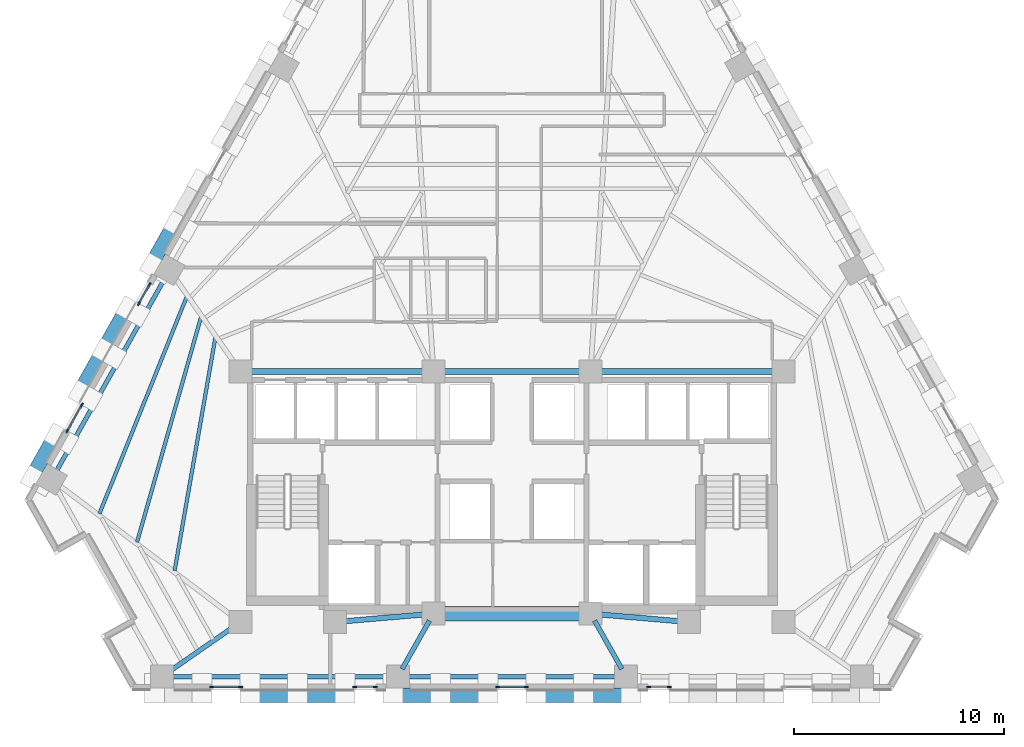
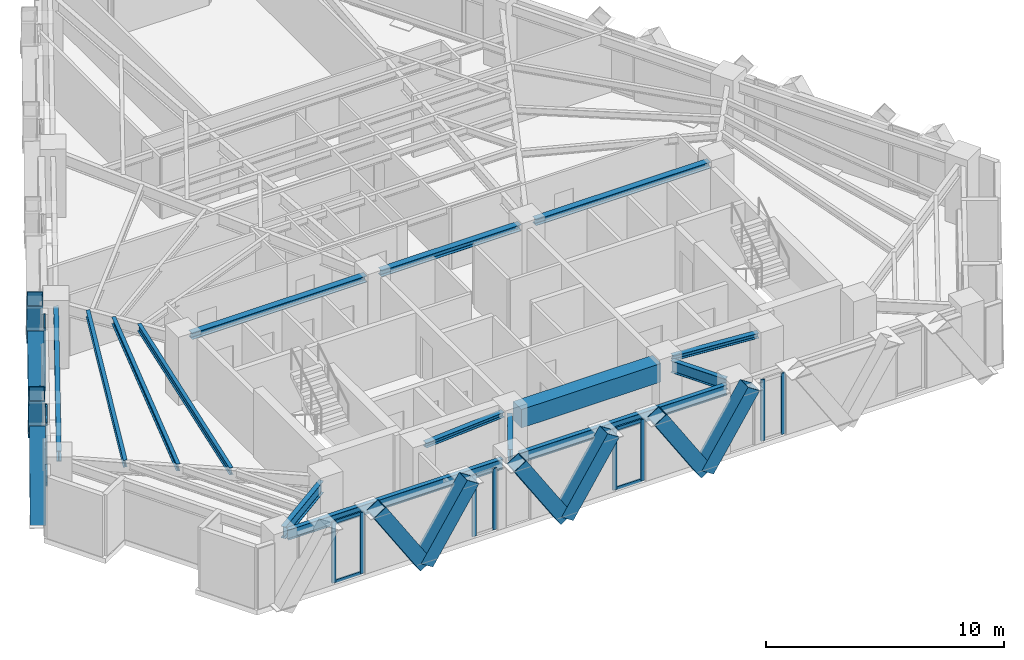
# One storey, part 2 of 13: 30 members, 15 beams, 6 elements without a shape of their own.
"""IFC4 building model written with IfcOpenShell, lengths in metres."""

from ifc_helpers import new_model, si_unit, direction, frame, origin, origin_2d, place, context, subcontext, project, spatial, rectangle, hollow_rectangle, i_section, extrude, material, material_profile, profile_set, type_object, element, aggregate, save


model = new_model("IFC4")

# Units and contexts
model_context = context("Model", 3, precision=1e-05, world=origin(), true_north=direction((0.0, 1.0)))
body_context = subcontext(model_context, "Body", "Model", "MODEL_VIEW")
ifc_project = project(units=[si_unit("LENGTHUNIT", "METRE"), si_unit("AREAUNIT", "SQUARE_METRE"), si_unit("VOLUMEUNIT", "CUBIC_METRE"), si_unit("PLANEANGLEUNIT", "RADIAN"), si_unit("MASSUNIT", "GRAM", prefix="KILO")], contexts=[model_context])

# Site, building, storey
site_placement = place(None, origin())
site = spatial("IfcSite", under=ifc_project, at=site_placement, CompositionType="ELEMENT")
building_placement = place(site_placement, origin())
building = spatial("IfcBuilding", under=site, at=building_placement, Name="Quenlor Broadcast Tower", CompositionType="ELEMENT")
storey_placement = place(building_placement, frame((0.0, 0.0, 87.10009765625)))
storey = spatial("IfcBuildingStorey", under=building, at=storey_placement, Name="L23", CompositionType="ELEMENT", Elevation=87.10009765625)

# Curtain wall, members
ifc_material_1 = material(Name="Architectural Terracotta and Low-E Glazing", Category="masonry")
curtain_wall_type = type_object("IfcCurtainWallType", Name="Unitised Terracotta Curtain Wall System Z2", PredefinedType="NOTDEFINED", material=ifc_material_1)
curtain_wall_1_placement = place(storey_placement, origin())
curtain_wall_1 = element("IfcCurtainWall", 1, at=curtain_wall_1_placement, inside=storey, type_object=curtain_wall_type, Name="L23 Curtain Wall CW2 (L23-SA-G2)", PredefinedType="NOTDEFINED")
ifc_material_2 = material(Name="Aluminium 6063-T6", Category="aluminium")
ifc_material_profile_1 = material_profile(ifc_material_2, rectangle(XDim=0.074951171875, YDim=0.199951171875, at=origin_2d()))
ifc_profile_set_1 = profile_set([ifc_material_profile_1], Name="Aluminium 6063-T6 MULL75x200")
member_type_1 = type_object("IfcMemberType", Name="CW2 Aluminium Mullion MULL_CW2", PredefinedType="MULLION", material=ifc_profile_set_1)
member_1_placement = place(storey_placement, frame((7.501708984375, -19.840087890625, 0.0), z_axis=(0.0, 0.0, 1.0), x_axis=(0.0, -1.0, 0.0)))
member_1 = element("IfcMember", 2, at=member_1_placement, type_object=member_type_1, Name="CW2 mullion 1", PredefinedType="MULLION", context=body_context, shape_type="SweptSolid", body=[
    extrude(rectangle(XDim=0.074951171875, YDim=0.199951171875, at=origin_2d()), origin(), (0.0, 0.0, 1.0), 3.139892578125),
])
member_2_placement = place(storey_placement, frame((6.515625, -19.840087890625, 0.0), z_axis=(0.0, 0.0, 1.0), x_axis=(0.0, -1.0, 0.0)))
member_2 = element("IfcMember", 3, at=member_2_placement, type_object=member_type_1, Name="CW2 mullion 2", PredefinedType="MULLION", context=body_context, shape_type="SweptSolid", body=[
    extrude(rectangle(XDim=0.074951171875, YDim=0.199951171875, at=origin_2d()), origin(), (0.0, 0.0, 1.0), 3.139892578125),
])
aggregate(curtain_wall_1, [member_1, member_2])

curtain_wall_2_placement = place(storey_placement, origin())
curtain_wall_2 = element("IfcCurtainWall", 4, at=curtain_wall_2_placement, inside=storey, type_object=curtain_wall_type, Name="L23 Curtain Wall CW2 (L23-SC-G1)", PredefinedType="NOTDEFINED")
member_3_placement = place(storey_placement, frame((-6.515625, -19.840087890625, 0.0), z_axis=(0.0, 0.0, 1.0), x_axis=(0.0, -1.0, 0.0)))
member_3 = element("IfcMember", 5, at=member_3_placement, type_object=member_type_1, Name="CW2 mullion 1", PredefinedType="MULLION", context=body_context, shape_type="SweptSolid", body=[
    extrude(rectangle(XDim=0.074951171875, YDim=0.199951171875, at=origin_2d()), origin(), (0.0, 0.0, 1.0), 3.139892578125),
])
member_4_placement = place(storey_placement, frame((-7.501708984375, -19.840087890625, 0.0), z_axis=(0.0, 0.0, 1.0), x_axis=(0.0, -1.0, 0.0)))
member_4 = element("IfcMember", 6, at=member_4_placement, type_object=member_type_1, Name="CW2 mullion 2", PredefinedType="MULLION", context=body_context, shape_type="SweptSolid", body=[
    extrude(rectangle(XDim=0.074951171875, YDim=0.199951171875, at=origin_2d()), origin(), (0.0, 0.0, 1.0), 3.139892578125),
])
aggregate(curtain_wall_2, [member_3, member_4])

curtain_wall_3_placement = place(storey_placement, origin())
curtain_wall_3 = element("IfcCurtainWall", 7, at=curtain_wall_3_placement, inside=storey, type_object=curtain_wall_type, Name="L23 Curtain Wall CW2 (L23-SC-G2)", PredefinedType="NOTDEFINED")
member_5_placement = place(storey_placement, frame((-12.950927734375, -19.840087890625, 0.0), z_axis=(0.0, 0.0, 1.0), x_axis=(0.0, -1.0, 0.0)))
member_5 = element("IfcMember", 8, at=member_5_placement, type_object=member_type_1, Name="CW2 mullion 1", PredefinedType="MULLION", context=body_context, shape_type="SweptSolid", body=[
    extrude(rectangle(XDim=0.074951171875, YDim=0.199951171875, at=origin_2d()), origin(), (0.0, 0.0, 1.0), 3.139892578125),
])
member_6_placement = place(storey_placement, frame((-14.3193359375, -19.840087890625, 0.0), z_axis=(0.0, 0.0, 1.0), x_axis=(0.0, -1.0, 0.0)))
member_6 = element("IfcMember", 9, at=member_6_placement, type_object=member_type_1, Name="CW2 mullion 2", PredefinedType="MULLION", context=body_context, shape_type="SweptSolid", body=[
    extrude(rectangle(XDim=0.074951171875, YDim=0.199951171875, at=origin_2d()), origin(), (0.0, 0.0, 1.0), 3.139892578125),
])

curtain_wall_4_placement = place(storey_placement, origin())
curtain_wall_4 = element("IfcCurtainWall", 10, at=curtain_wall_4_placement, inside=storey, type_object=curtain_wall_type, Name="L23 Curtain Wall CW2 (L23-S-G1)", PredefinedType="NOTDEFINED")
member_7_placement = place(storey_placement, frame((0.68408203125, -19.840087890625, 0.0), z_axis=(0.0, 0.0, 1.0), x_axis=(0.0, -1.0, 0.0)))
member_7 = element("IfcMember", 11, at=member_7_placement, type_object=member_type_1, Name="CW2 mullion 1", PredefinedType="MULLION", context=body_context, shape_type="SweptSolid", body=[
    extrude(rectangle(XDim=0.074951171875, YDim=0.199951171875, at=origin_2d()), origin(), (0.0, 0.0, 1.0), 3.139892578125),
])
member_8_placement = place(storey_placement, frame((-0.68408203125, -19.840087890625, 0.0), z_axis=(0.0, 0.0, 1.0), x_axis=(0.0, -1.0, 0.0)))
member_8 = element("IfcMember", 12, at=member_8_placement, type_object=member_type_1, Name="CW2 mullion 2", PredefinedType="MULLION", context=body_context, shape_type="SweptSolid", body=[
    extrude(rectangle(XDim=0.074951171875, YDim=0.199951171875, at=origin_2d()), origin(), (0.0, 0.0, 1.0), 3.139892578125),
])

curtain_wall_5_placement = place(storey_placement, origin())
curtain_wall_5 = element("IfcCurtainWall", 13, at=curtain_wall_5_placement, inside=storey, type_object=curtain_wall_type, Name="L23 Curtain Wall CW2 (L23-NWA-G1)", PredefinedType="NOTDEFINED")
member_9_placement = place(storey_placement, frame((-21.208740234375, -7.631103515625, 0.0), z_axis=(0.0, 0.0, 1.0), x_axis=(-0.871586281699, 0.490242137678, 0.0)))
member_9 = element("IfcMember", 14, at=member_9_placement, type_object=member_type_1, Name="CW2 mullion 1", PredefinedType="MULLION", context=body_context, shape_type="SweptSolid", body=[
    extrude(rectangle(XDim=0.074951171875, YDim=0.199951171875, at=origin_2d()), origin(), (0.0, 0.0, 1.0), 3.139892578125),
])
member_10_placement = place(storey_placement, frame((-20.514404296875, -6.396484375, 0.0), z_axis=(0.0, 0.0, 1.0), x_axis=(-0.871586281699, 0.490242137678, 0.0)))
member_10 = element("IfcMember", 15, at=member_10_placement, type_object=member_type_1, Name="CW2 mullion 2", PredefinedType="MULLION", context=body_context, shape_type="SweptSolid", body=[
    extrude(rectangle(XDim=0.074951171875, YDim=0.199951171875, at=origin_2d()), origin(), (0.0, 0.0, 1.0), 3.139892578125),
])

curtain_wall_6_placement = place(storey_placement, origin())
curtain_wall_6 = element("IfcCurtainWall", 16, at=curtain_wall_6_placement, inside=storey, type_object=curtain_wall_type, Name="L23 Curtain Wall CW2 (L23-NWA-G2)", PredefinedType="NOTDEFINED")
member_11_placement = place(storey_placement, frame((-17.795654296875, -1.563232421875, 0.0), z_axis=(0.0, 0.0, 1.0), x_axis=(-0.8715826837, 0.490248534392, 0.0)))
member_11 = element("IfcMember", 17, at=member_11_placement, type_object=member_type_1, Name="CW2 mullion 1", PredefinedType="MULLION", context=body_context, shape_type="SweptSolid", body=[
    extrude(rectangle(XDim=0.074951171875, YDim=0.199951171875, at=origin_2d()), origin(), (0.0, 0.0, 1.0), 3.139892578125),
])
member_12_placement = place(storey_placement, frame((-17.282958984375, -0.651611328125, 0.0), z_axis=(0.0, 0.0, 1.0), x_axis=(-0.8715826837, 0.490248534392, 0.0)))
member_12 = element("IfcMember", 18, at=member_12_placement, type_object=member_type_1, Name="CW2 mullion 2", PredefinedType="MULLION", context=body_context, shape_type="SweptSolid", body=[
    extrude(rectangle(XDim=0.074951171875, YDim=0.199951171875, at=origin_2d()), origin(), (0.0, 0.0, 1.0), 3.139892578125),
])

# Member
ifc_material_3 = material(Name="Aluminium 6063-T6", Category="aluminium")
ifc_material_profile_2 = material_profile(ifc_material_3, rectangle(XDim=0.074951171875, YDim=0.1650390625, at=origin_2d()))
ifc_profile_set_2 = profile_set([ifc_material_profile_2], Name="Aluminium 6063-T6 TRAN75x165")
member_type_2 = type_object("IfcMemberType", Name="CW2 Aluminium Transom TRAN_CW2", PredefinedType="USERDEFINED", material=ifc_profile_set_2)
member_13_placement = place(storey_placement, frame((-12.988525390625, -19.840087890625, 0.037353515625), z_axis=(-1.0, 0.0, 0.0), x_axis=(0.0, -1.0, 0.0)))
member_13 = element("IfcMember", 19, at=member_13_placement, type_object=member_type_2, Name="CW2 transom 1.1", ObjectType="TRANSOM", PredefinedType="USERDEFINED", context=body_context, shape_type="SweptSolid", body=[
    extrude(rectangle(XDim=0.074951171875, YDim=0.1650390625, at=origin_2d()), origin(), (0.0, 0.0, 1.0), 1.29345703125),
])

member_14_placement = place(storey_placement, frame((-12.988525390625, -19.840087890625, 3.102294921875), z_axis=(-1.0, 0.0, 0.0), x_axis=(0.0, -1.0, 0.0)))
member_14 = element("IfcMember", 20, at=member_14_placement, type_object=member_type_2, Name="CW2 transom 1.2", ObjectType="TRANSOM", PredefinedType="USERDEFINED", context=body_context, shape_type="SweptSolid", body=[
    extrude(rectangle(XDim=0.074951171875, YDim=0.1650390625, at=origin_2d()), origin(), (0.0, 0.0, 1.0), 1.29345703125),
])

aggregate(curtain_wall_3, [member_5, member_6, member_13, member_14])

member_15_placement = place(storey_placement, frame((0.646728515625, -19.840087890625, 0.037353515625), z_axis=(-1.0, 0.0, 0.0), x_axis=(0.0, -1.0, 0.0)))
member_15 = element("IfcMember", 21, at=member_15_placement, type_object=member_type_2, Name="CW2 transom 1.1", ObjectType="TRANSOM", PredefinedType="USERDEFINED", context=body_context, shape_type="SweptSolid", body=[
    extrude(rectangle(XDim=0.074951171875, YDim=0.1650390625, at=origin_2d()), origin(), (0.0, 0.0, 1.0), 1.29345703125),
])

member_16_placement = place(storey_placement, frame((0.646728515625, -19.840087890625, 3.102294921875), z_axis=(-1.0, 0.0, 0.0), x_axis=(0.0, -1.0, 0.0)))
member_16 = element("IfcMember", 22, at=member_16_placement, type_object=member_type_2, Name="CW2 transom 1.2", ObjectType="TRANSOM", PredefinedType="USERDEFINED", context=body_context, shape_type="SweptSolid", body=[
    extrude(rectangle(XDim=0.074951171875, YDim=0.1650390625, at=origin_2d()), origin(), (0.0, 0.0, 1.0), 1.29345703125),
])

aggregate(curtain_wall_4, [member_7, member_8, member_15, member_16])

member_17_placement = place(storey_placement, frame((-21.1904296875, -7.598388671875, 0.037353515625), z_axis=(0.490148897968, 0.871638719781, 0.0), x_axis=(-0.871638719781, 0.490148897968, 0.0)))
member_17 = element("IfcMember", 23, at=member_17_placement, type_object=member_type_2, Name="CW2 transom 1.1", ObjectType="TRANSOM", PredefinedType="USERDEFINED", context=body_context, shape_type="SweptSolid", body=[
    extrude(rectangle(XDim=0.074951171875, YDim=0.1650390625, at=origin_2d()), origin(), (0.0, 0.0, 1.0), 1.34130859375),
])

member_18_placement = place(storey_placement, frame((-21.1904296875, -7.598388671875, 3.102294921875), z_axis=(0.490148897968, 0.871638719781, 0.0), x_axis=(-0.871638719781, 0.490148897968, 0.0)))
member_18 = element("IfcMember", 24, at=member_18_placement, type_object=member_type_2, Name="CW2 transom 1.2", ObjectType="TRANSOM", PredefinedType="USERDEFINED", context=body_context, shape_type="SweptSolid", body=[
    extrude(rectangle(XDim=0.074951171875, YDim=0.1650390625, at=origin_2d()), origin(), (0.0, 0.0, 1.0), 1.34130859375),
])

aggregate(curtain_wall_5, [member_9, member_10, member_17, member_18])

member_19_placement = place(storey_placement, frame((-17.77734375, -1.530517578125, 0.037353515625), z_axis=(0.490332868435, 0.871535242049, 0.0), x_axis=(-0.871535242049, 0.490332868435, 0.0)))
member_19 = element("IfcMember", 25, at=member_19_placement, type_object=member_type_2, Name="CW2 transom 1.1", ObjectType="TRANSOM", PredefinedType="USERDEFINED", context=body_context, shape_type="SweptSolid", body=[
    extrude(rectangle(XDim=0.074951171875, YDim=0.1650390625, at=origin_2d()), origin(), (0.0, 0.0, 1.0), 0.970947265625),
])

member_20_placement = place(storey_placement, frame((-17.77734375, -1.530517578125, 3.102294921875), z_axis=(0.490332868435, 0.871535242049, 0.0), x_axis=(-0.871535242049, 0.490332868435, 0.0)))
member_20 = element("IfcMember", 26, at=member_20_placement, type_object=member_type_2, Name="CW2 transom 1.2", ObjectType="TRANSOM", PredefinedType="USERDEFINED", context=body_context, shape_type="SweptSolid", body=[
    extrude(rectangle(XDim=0.074951171875, YDim=0.1650390625, at=origin_2d()), origin(), (0.0, 0.0, 1.0), 0.970947265625),
])

aggregate(curtain_wall_6, [member_11, member_12, member_19, member_20])

# Beams
ifc_material_4 = material(Name="Concrete C50/60", Category="concrete")
ifc_material_profile_3 = material_profile(ifc_material_4, rectangle(XDim=0.699951171875, YDim=0.949951171875, at=origin_2d()))
ifc_profile_set_3 = profile_set([ifc_material_profile_3], Name="Concrete C50/60 RCB700x950")
beam_type_1 = type_object("IfcBeamType", Name="Core Coupling Beam Concrete C50/60 700x950", PredefinedType="BEAM", material=ifc_profile_set_3)
beam_1_placement = place(storey_placement, frame((-3.389892578125, -16.35009765625, 2.664794921875), z_axis=(1.0, 0.0, 0.0), x_axis=(0.0, 1.0, 0.0)))
element("IfcBeam", 27, at=beam_1_placement, inside=storey, type_object=beam_type_1, Name="L23 Core Coupling Beam 6", PredefinedType="BEAM", context=body_context, shape_type="SweptSolid", body=[
    extrude(rectangle(XDim=0.699951171875, YDim=0.949951171875, at=origin_2d()), origin(), (0.0, 0.0, 1.0), 6.77978515625),
])
ifc_material_5 = material(Name="Steel S355", Category="steel")
ifc_material_profile_4 = material_profile(ifc_material_5, i_section(OverallWidth=0.304931640625, OverallDepth=0.30810546875, WebThickness=0.010009765625, FlangeThickness=0.015380859375, FilletRadius=0.0166015625, at=origin_2d()))
ifc_profile_set_4 = profile_set([ifc_material_profile_4], Name="Steel S355 310UC96.8")
beam_type_2 = type_object("IfcBeamType", Name="Core Header Beam Steel S355 310UC96.8", PredefinedType="BEAM", material=ifc_profile_set_4)
beam_2_placement = place(storey_placement, frame((-3.389892578125, -4.800048828125, 2.98583984375), z_axis=(1.0, 0.0, 0.0), x_axis=(0.0, 1.0, 0.0)))
element("IfcBeam", 28, at=beam_2_placement, inside=storey, type_object=beam_type_2, Name="L23 Core Header Beam 2", PredefinedType="BEAM", context=body_context, shape_type="SweptSolid", body=[
    extrude(i_section(OverallWidth=0.304931640625, OverallDepth=0.30810546875, WebThickness=0.010009765625, FlangeThickness=0.015380859375, FilletRadius=0.0166015625, at=origin_2d()), origin(), (0.0, 0.0, 1.0), 6.77978515625),
])
ifc_material_6 = material(Name="Steel S355", Category="steel")
ifc_material_profile_5 = material_profile(ifc_material_6, i_section(OverallWidth=0.25390625, OverallDepth=0.25390625, WebThickness=0.008544921875, FlangeThickness=0.01416015625, FilletRadius=0.013916015625, at=origin_2d()))
ifc_profile_set_5 = profile_set([ifc_material_profile_5], Name="Steel S355 250UC72.9")
beam_type_3 = type_object("IfcBeamType", Name="Core Opening Lintel Beam Steel S355 250UC72.9", PredefinedType="LINTEL", material=ifc_profile_set_5)
for number, where, z_axis, x_axis, name in (
    (29, (-8.09130859375, -16.719482421875, 3.012939453125), (0.996399763903, 0.084779186679, 0.0), (-0.084779186679, 0.996399763903, 0.0), "L23 Core Opening Lintel Beam 4"),
    (30, (4.108642578125, -16.380615234375, 3.012939453125), (0.996399763903, -0.084779186679, 0.0), (0.084779186679, 0.996399763903, 0.0), "L23 Core Opening Lintel Beam 5"),
):
    element("IfcBeam", number, at=place(storey_placement, frame(where, z_axis=z_axis, x_axis=x_axis)), inside=storey, type_object=beam_type_3, Name=name, PredefinedType="LINTEL", context=body_context, shape_type="SweptSolid", body=[
        extrude(i_section(OverallWidth=0.25390625, OverallDepth=0.25390625, WebThickness=0.008544921875, FlangeThickness=0.01416015625, FilletRadius=0.013916015625, at=origin_2d()), origin(), (0.0, 0.0, 1.0), 3.9970703125),
    ])
ifc_material_7 = material(Name="Steel S355", Category="steel")
ifc_material_profile_6 = material_profile(ifc_material_7, i_section(OverallWidth=0.306884765625, OverallDepth=0.314697265625, WebThickness=0.011962890625, FlangeThickness=0.018798828125, FilletRadius=0.0166015625, at=origin_2d()))
ifc_profile_set_6 = profile_set([ifc_material_profile_6], Name="Steel S355 310UC118")
beam_type_4 = type_object("IfcBeamType", Name="Core Tie Beam Steel S355 310UC118", PredefinedType="BEAM", material=ifc_profile_set_6)
for number, where, z_axis, x_axis, name in (
    (31, (-12.590087890625, -4.800048828125, 2.982666015625), (1.0, 0.0, 0.0), (0.0, 1.0, 0.0), "L23 Core Tie Beam 1"),
    (32, (4.110107421875, -4.800048828125, 2.982666015625), (1.0, 0.0, 0.0), (0.0, 1.0, 0.0), "L23 Core Tie Beam 3"),
):
    element("IfcBeam", number, at=place(storey_placement, frame(where, z_axis=z_axis, x_axis=x_axis)), inside=storey, type_object=beam_type_4, Name=name, PredefinedType="BEAM", context=body_context, shape_type="SweptSolid", body=[
        extrude(i_section(OverallWidth=0.306884765625, OverallDepth=0.314697265625, WebThickness=0.011962890625, FlangeThickness=0.018798828125, FilletRadius=0.0166015625, at=origin_2d()), origin(), (0.0, 0.0, 1.0), 8.47998046875),
    ])

# Members
ifc_material_8 = material(Name="Steel S355", Category="steel")
ifc_material_profile_7 = material_profile(ifc_material_8, hollow_rectangle(XDim=0.679931640625, YDim=0.679931640625, WallThickness=0.030029296875, at=origin_2d()))
ifc_profile_set_7 = profile_set([ifc_material_profile_7], Name="Steel S355 RHS680x680x30")
member_type_3 = type_object("IfcMemberType", Name="Perimeter Diagonal Lattice Brace Z2 Steel S355 RHS680x30", PredefinedType="BRACE", material=ifc_profile_set_7)
for number, where, z_axis, x_axis, name in (
    (33, (3.42236328125, -20.235107421875, -0.1201171875), (0.539968035679, 0.0, 0.841685523485), (0.0, 1.0, 0.0), "L23 Perimeter Diamond Lattice S-C2B"),
    (34, (3.395263671875, -20.235107421875, -0.1201171875), (-0.539968035679, 0.0, 0.841685523485), (0.0, -1.0, 0.0), "L23 Perimeter Diamond Lattice S-C3S"),
    (35, (-3.395263671875, -20.235107421875, -0.1201171875), (0.539968035679, 0.0, 0.841685523485), (0.0, 1.0, 0.0), "L23 Perimeter Diamond Lattice S-C3B"),
    (36, (-3.42236328125, -20.235107421875, -0.1201171875), (-0.539968035679, 0.0, 0.841685523485), (0.0, -1.0, 0.0), "L23 Perimeter Diamond Lattice S-C4S"),
    (37, (-10.212890625, -20.235107421875, -0.1201171875), (0.539968035679, 0.0, 0.841685523485), (0.0, 1.0, 0.0), "L23 Perimeter Diamond Lattice S-C4B"),
    (38, (-10.239990234375, -20.235107421875, -0.1201171875), (-0.539968035679, 0.0, 0.841685523485), (0.0, -1.0, 0.0), "L23 Perimeter Diamond Lattice S-C5S"),
):
    element("IfcMember", number, at=place(storey_placement, frame(where, z_axis=z_axis, x_axis=x_axis)), inside=storey, type_object=member_type_3, Name=name, PredefinedType="BRACE", context=body_context, shape_type="SweptSolid", body=[
        extrude(hollow_rectangle(XDim=0.679931640625, YDim=0.679931640625, WallThickness=0.030029296875, at=origin_2d()), origin(), (0.0, 0.0, 1.0), 4.158203125),
    ])
for number, where, z_axis, x_axis, name in (
    (39, (-22.90576171875, -9.841796875, -0.1201171875), (0.268696511206, 0.477585438485, 0.836489290913), (-0.871532878923, 0.490337068716, 0.0), "L23 Perimeter Diamond Lattice NW-C1S"),
    (40, (-19.506103515625, -3.79833984375, -0.1201171875), (-0.268696511206, -0.477585438485, 0.836489290913), (0.871532878923, -0.490337068716, 0.0), "L23 Perimeter Diamond Lattice NW-C1B"),
    (41, (-19.49267578125, -3.774169921875, -0.1201171875), (0.268696511206, 0.477585438485, 0.836489290913), (-0.871532878923, 0.490337068716, 0.0), "L23 Perimeter Diamond Lattice NW-C2S"),
    (42, (-16.093017578125, 2.269287109375, -0.1201171875), (-0.268696511206, -0.477585438485, 0.836489290913), (0.871532878923, -0.490337068716, 0.0), "L23 Perimeter Diamond Lattice NW-C2B"),
):
    element("IfcMember", number, at=place(storey_placement, frame(where, z_axis=z_axis, x_axis=x_axis)), inside=storey, type_object=member_type_3, Name=name, PredefinedType="BRACE", context=body_context, shape_type="SweptSolid", body=[
        extrude(hollow_rectangle(XDim=0.679931640625, YDim=0.679931640625, WallThickness=0.030029296875, at=origin_2d()), origin(), (0.0, 0.0, 1.0), 4.18408203125),
    ])

# Beams
ifc_material_9 = material(Name="Steel S355", Category="steel")
ifc_material_profile_8 = material_profile(ifc_material_9, i_section(OverallWidth=0.208984375, OverallDepth=0.5283203125, WebThickness=0.009521484375, FlangeThickness=0.01318359375, FilletRadius=0.013916015625, at=origin_2d()))
ifc_profile_set_8 = profile_set([ifc_material_profile_8], Name="Steel S355 530UB82.0")
beam_type_5 = type_object("IfcBeamType", Name="Perimeter Spandrel Beam Z2 Steel S355 530UB82.0", PredefinedType="SPANDREL", material=ifc_profile_set_8)
beam_3_placement = place(storey_placement, frame((-16.282470703125, -19.35009765625, 2.875732421875), z_axis=(1.0, 0.0, 0.0), x_axis=(0.0, 1.0, 0.0)))
element("IfcBeam", 43, at=beam_3_placement, inside=storey, type_object=beam_type_5, Name="L23 Spandrel Beam S1-S2", PredefinedType="SPANDREL", context=body_context, shape_type="SweptSolid", body=[
    extrude(i_section(OverallWidth=0.208984375, OverallDepth=0.5283203125, WebThickness=0.009521484375, FlangeThickness=0.01318359375, FilletRadius=0.013916015625, at=origin_2d()), origin(), (0.0, 0.0, 1.0), 10.42919921875),
])
beam_4_placement = place(storey_placement, frame((-5.033203125, -19.35009765625, 2.875732421875), z_axis=(1.0, 0.0, 0.0), x_axis=(0.0, 1.0, 0.0)))
element("IfcBeam", 44, at=beam_4_placement, inside=storey, type_object=beam_type_5, Name="L23 Spandrel Beam S2-S3", PredefinedType="SPANDREL", context=body_context, shape_type="SweptSolid", body=[
    extrude(i_section(OverallWidth=0.208984375, OverallDepth=0.5283203125, WebThickness=0.009521484375, FlangeThickness=0.01318359375, FilletRadius=0.013916015625, at=origin_2d()), origin(), (0.0, 0.0, 1.0), 10.06640625),
])
beam_5_placement = place(storey_placement, frame((-16.531005859375, -0.314453125, 2.875732421875), z_axis=(-0.490263415828, -0.871574313011, 0.0), x_axis=(0.871574313011, -0.490263415828, 0.0)))
element("IfcBeam", 45, at=beam_5_placement, inside=storey, type_object=beam_type_5, Name="L23 Spandrel Beam NW3-NW4", PredefinedType="SPANDREL", context=body_context, shape_type="SweptSolid", body=[
    extrude(i_section(OverallWidth=0.208984375, OverallDepth=0.5283203125, WebThickness=0.009521484375, FlangeThickness=0.01318359375, FilletRadius=0.013916015625, at=origin_2d()), origin(), (0.0, 0.0, 1.0), 10.65283203125),
])
ifc_material_10 = material(Name="Steel S355", Category="steel")
ifc_material_profile_9 = material_profile(ifc_material_10, i_section(OverallWidth=0.172119140625, OverallDepth=0.358642578125, WebThickness=0.008056640625, FlangeThickness=0.012939453125, FilletRadius=0.011474609375, at=origin_2d()))
ifc_profile_set_9 = profile_set([ifc_material_profile_9], Name="Steel S355 360UB56.7")
beam_type_6 = type_object("IfcBeamType", Name="Tower Composite Joist Z2-Z3 Steel S355 360UB56.7", PredefinedType="JOIST", material=ifc_profile_set_9)
beam_6_placement = place(storey_placement, frame((-16.087890625, -14.29345703125, 2.960693359375), z_axis=(0.172120396521, 0.985075920476, 0.0), x_axis=(-0.985075920476, 0.172120396521, 0.0)))
element("IfcBeam", 46, at=beam_6_placement, inside=storey, type_object=beam_type_6, Name="L23 Secondary Composite Joist 13", PredefinedType="JOIST", context=body_context, shape_type="SweptSolid", body=[
    extrude(i_section(OverallWidth=0.172119140625, OverallDepth=0.358642578125, WebThickness=0.008056640625, FlangeThickness=0.012939453125, FilletRadius=0.011474609375, at=origin_2d()), origin(), (0.0, 0.0, 1.0), 11.27783203125),
])
beam_7_placement = place(storey_placement, frame((-17.880615234375, -12.9365234375, 2.960693359375), z_axis=(0.273563993601, 0.96185380459, 0.0), x_axis=(-0.96185380459, 0.273563993601, 0.0)))
element("IfcBeam", 47, at=beam_7_placement, inside=storey, type_object=beam_type_6, Name="L23 Secondary Composite Joist 14", PredefinedType="JOIST", context=body_context, shape_type="SweptSolid", body=[
    extrude(i_section(OverallWidth=0.172119140625, OverallDepth=0.358642578125, WebThickness=0.008056640625, FlangeThickness=0.012939453125, FilletRadius=0.011474609375, at=origin_2d()), origin(), (0.0, 0.0, 1.0), 11.1484375),
])
beam_8_placement = place(storey_placement, frame((-19.673583984375, -11.580810546875, 2.960693359375), z_axis=(0.373180395983, 0.92775880058, 0.0), x_axis=(-0.92775880058, 0.373180395983, 0.0)))
element("IfcBeam", 48, at=beam_8_placement, inside=storey, type_object=beam_type_6, Name="L23 Secondary Composite Joist 15", PredefinedType="JOIST", context=body_context, shape_type="SweptSolid", body=[
    extrude(i_section(OverallWidth=0.172119140625, OverallDepth=0.358642578125, WebThickness=0.008056640625, FlangeThickness=0.012939453125, FilletRadius=0.011474609375, at=origin_2d()), origin(), (0.0, 0.0, 1.0), 11.143798828125),
])
ifc_material_11 = material(Name="Steel S355", Category="steel")
ifc_material_profile_10 = material_profile(ifc_material_11, i_section(OverallWidth=0.22802734375, OverallDepth=0.60205078125, WebThickness=0.010498046875, FlangeThickness=0.014892578125, FilletRadius=0.013916015625, at=origin_2d()))
ifc_profile_set_10 = profile_set([ifc_material_profile_10], Name="Steel S355 610UB101")
beam_type_7 = type_object("IfcBeamType", Name="Tower Primary Floor Beam Z2 Steel S355 610UB101", PredefinedType="BEAM", material=ifc_profile_set_10)
beam_9_placement = place(storey_placement, frame((-16.355712890625, -19.1162109375, 2.8388671875), z_axis=(0.821227395059, 0.570601056436, 0.0), x_axis=(-0.570601056436, 0.821227395059, 0.0)))
element("IfcBeam", 49, at=beam_9_placement, inside=storey, type_object=beam_type_7, Name="L23 Primary Radial Beam S1", PredefinedType="BEAM", context=body_context, shape_type="SweptSolid", body=[
    extrude(i_section(OverallWidth=0.22802734375, OverallDepth=0.60205078125, WebThickness=0.010498046875, FlangeThickness=0.014892578125, FilletRadius=0.013916015625, at=origin_2d()), origin(), (0.0, 0.0, 1.0), 3.766845703125),
])
for number, where, z_axis, x_axis, name in (
    (50, (-5.24169921875, -18.992919921875, 2.8388671875), (0.491526879548, 0.870862403989, 0.0), (-0.870862403989, 0.491526879548, 0.0), "L23 Primary Radial Beam S2"),
    (51, (5.24169921875, -18.992919921875, 2.8388671875), (-0.491526879548, 0.870862403989, 0.0), (-0.870862403989, -0.491526879548, 0.0), "L23 Primary Radial Beam S3"),
):
    element("IfcBeam", number, at=place(storey_placement, frame(where, z_axis=z_axis, x_axis=x_axis)), inside=storey, type_object=beam_type_7, Name=name, PredefinedType="BEAM", context=body_context, shape_type="SweptSolid", body=[
        extrude(i_section(OverallWidth=0.22802734375, OverallDepth=0.60205078125, WebThickness=0.010498046875, FlangeThickness=0.014892578125, FilletRadius=0.013916015625, at=origin_2d()), origin(), (0.0, 0.0, 1.0), 2.65478515625),
    ])

save(model, "model.ifc")
